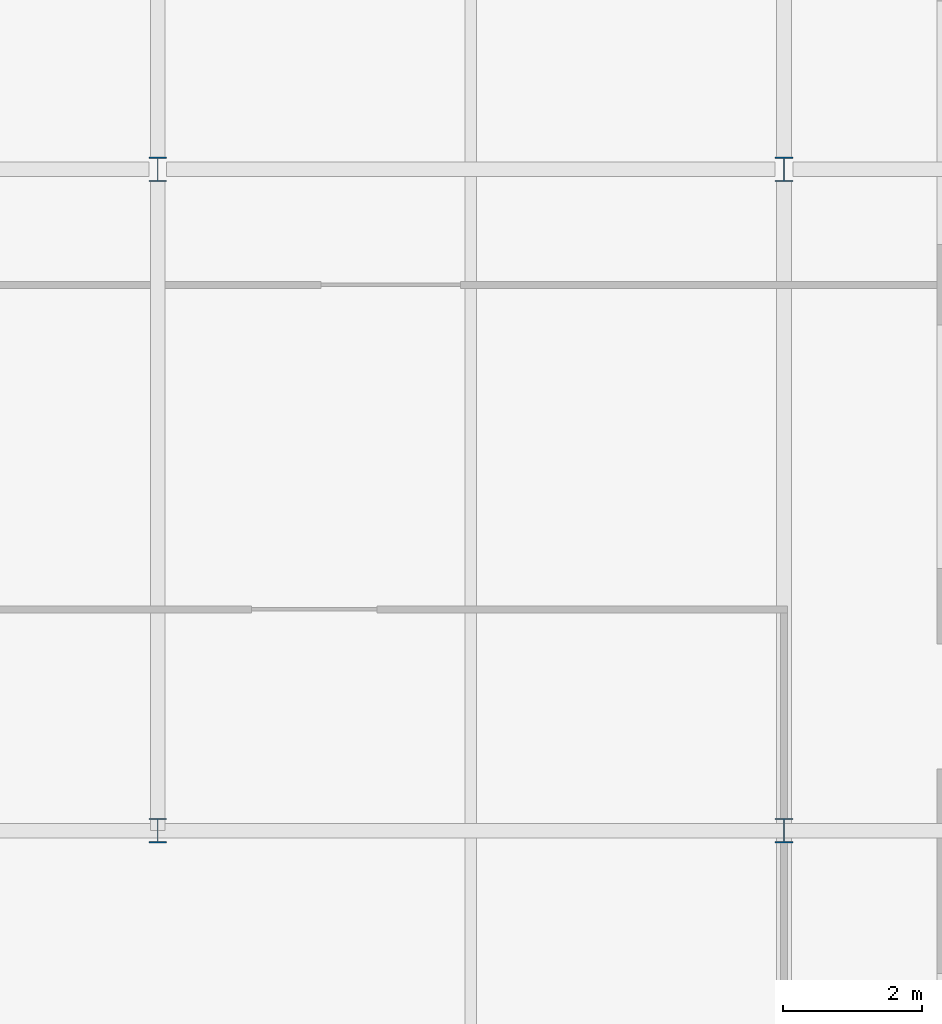
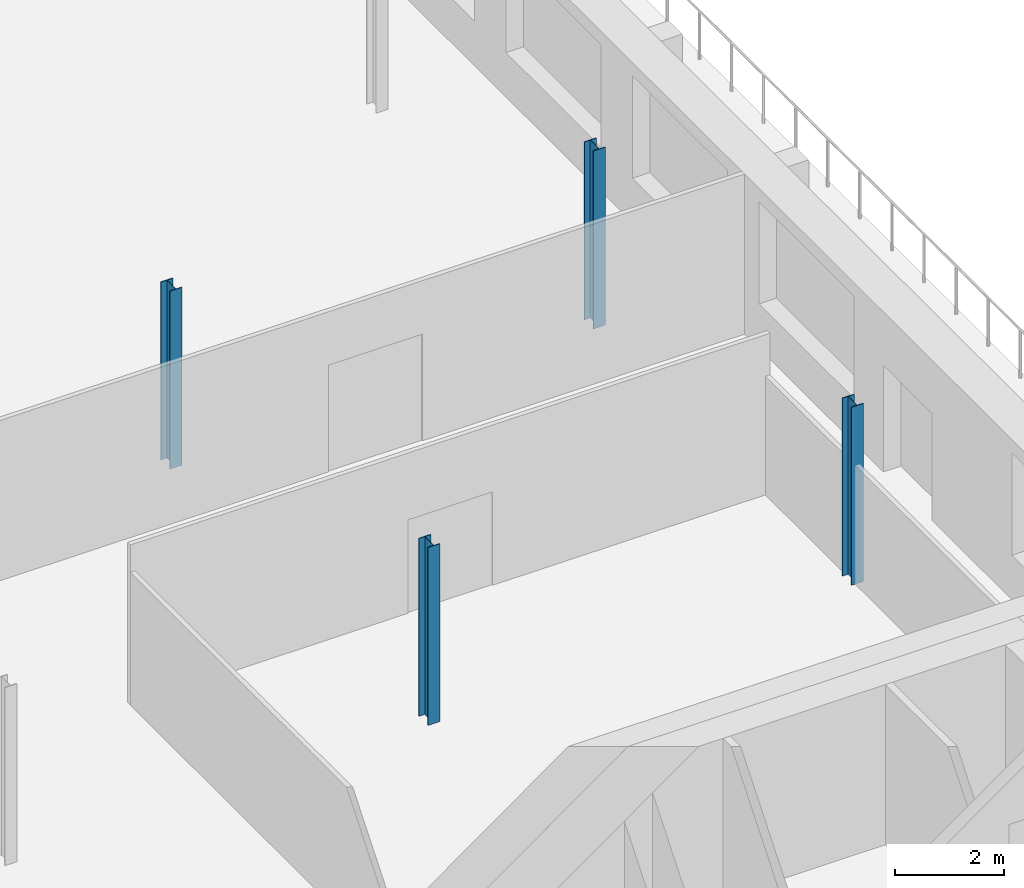
# One storey, part 2 of 13: 4 columns.
"""IFC4 building model written with IfcOpenShell, lengths in metres."""

from ifc_helpers import new_model, si_unit, direction, frame, origin, origin_2d, place, context, subcontext, project, spatial, i_section, extrude, material, material_profile, profile_set, type_object, element, save


model = new_model("IFC4")

# Units and contexts
model_context = context("Model", 3, precision=1e-05, world=origin(), true_north=direction((0.0, 1.0)))
body_context = subcontext(model_context, "Body", "Model", "MODEL_VIEW")
ifc_project = project(units=[si_unit("LENGTHUNIT", "METRE"), si_unit("AREAUNIT", "SQUARE_METRE"), si_unit("VOLUMEUNIT", "CUBIC_METRE"), si_unit("PLANEANGLEUNIT", "RADIAN"), si_unit("MASSUNIT", "GRAM", prefix="KILO")], contexts=[model_context])

# Site, building, storey
site_placement = place(None, origin())
site = spatial("IfcSite", under=ifc_project, at=site_placement, CompositionType="ELEMENT")
building_placement = place(site_placement, origin())
building = spatial("IfcBuilding", under=site, at=building_placement, Name="Zellij Exchange Tower", CompositionType="ELEMENT")
storey_placement = place(building_placement, frame((0.0, 0.0, 292.5)))
storey = spatial("IfcBuildingStorey", under=building, at=storey_placement, Name="L69", CompositionType="ELEMENT", Elevation=292.5)

# Columns
ifc_material = material(Name="Structural steel ASTM A992 Gr 50", Category="steel")
ifc_material_profile = material_profile(ifc_material, i_section(OverallWidth=0.25390625, OverallDepth=0.35302734375, WebThickness=0.009521484375, FlangeThickness=0.016357421875, at=origin_2d()), Name="W14x61")
ifc_profile_set = profile_set([ifc_material_profile], Name="Structural steel ASTM A992 Gr 50")
column_type = type_object("IfcColumnType", Name="STR-COLUMN W14x61", PredefinedType="COLUMN", material=ifc_profile_set)
for number, where, z_axis, x_axis, name in (
    (1, (18.0, 4.5, 0.0), (0.0, 0.0, 1.0), (1.0, 0.0, 0.0), "C6"),
    (2, (27.0, 4.5, 0.0), (0.0, 0.0, 1.0), (1.0, 0.0, 0.0), "C6"),
    (3, (18.0, 14.0, 0.0), (0.0, 0.0, 1.0), (1.0, 0.0, 0.0), "C6"),
    (4, (27.0, 14.0, 0.0), (0.0, 0.0, 1.0), (1.0, 0.0, 0.0), "C6"),
):
    element("IfcColumn", number, at=place(storey_placement, frame(where, z_axis=z_axis, x_axis=x_axis)), inside=storey, type_object=column_type, Name=name, PredefinedType="COLUMN", context=body_context, shape_type="SweptSolid", body=[
        extrude(i_section(OverallWidth=0.25390625, OverallDepth=0.35302734375, WebThickness=0.009521484375, FlangeThickness=0.016357421875, at=origin_2d()), origin(), (0.0, 0.0, 1.0), 4.0),
    ])

save(model, "model.ifc")
